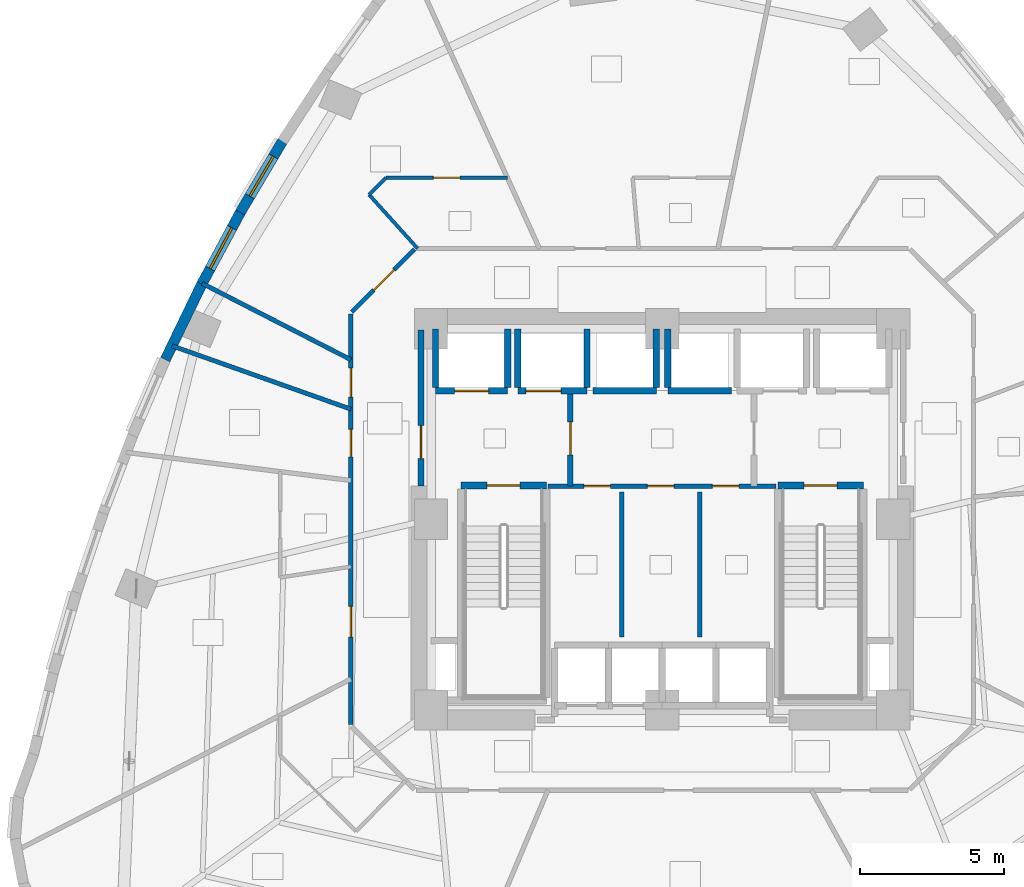
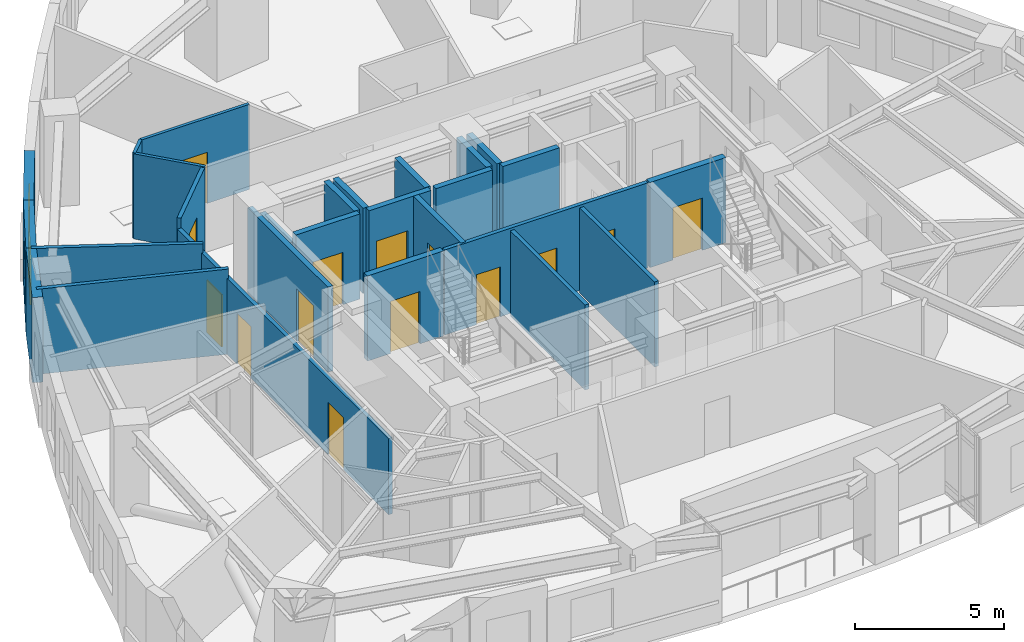
# One storey, part 6 of 11: 27 walls, 14 doors, 2 windows, 16 openings.
"""IFC4 building model written with IfcOpenShell, lengths in metres."""

from ifc_helpers import new_model, si_unit, direction, frame, frame_2d, origin, place, context, subcontext, project, spatial, rectangle, extrude, material, layer, layer_set, type_object, element, fill, save


model = new_model("IFC4")

# Units and contexts
model_context = context("Model", 3, precision=1e-05, world=origin(), true_north=direction((0.0, 1.0)))
body_context = subcontext(model_context, "Body", "Model", "MODEL_VIEW")
ifc_project = project(units=[si_unit("LENGTHUNIT", "METRE"), si_unit("AREAUNIT", "SQUARE_METRE"), si_unit("VOLUMEUNIT", "CUBIC_METRE"), si_unit("PLANEANGLEUNIT", "RADIAN"), si_unit("MASSUNIT", "GRAM", prefix="KILO")], contexts=[model_context])

# Site, building, storey
site_placement = place(None, origin())
site = spatial("IfcSite", under=ifc_project, at=site_placement, CompositionType="ELEMENT")
building_placement = place(site_placement, origin())
building = spatial("IfcBuilding", under=site, at=building_placement, Name="Ndelora Gate Hotel", CompositionType="ELEMENT")
storey_placement = place(building_placement, frame((0.0, 0.0, 41.75)))
storey = spatial("IfcBuildingStorey", under=building, at=storey_placement, Name="L09", CompositionType="ELEMENT", Elevation=41.75)

# Wall, opening, window
ifc_material_1 = material(Name="Clay Brick Masonry", Category="masonry")
ifc_layer_1 = layer(ifc_material_1, 0.360107421875)
ifc_layer_set_1 = layer_set([ifc_layer_1], Name="Clay Brick Masonry")
wall_type_1 = type_object("IfcWallType", Name="WL-BRICK-360", PredefinedType="SOLIDWALL", material=ifc_layer_set_1)
wall_1_placement = place(storey_placement, frame((-14.61279296875, 10.62646484375, 0.0), z_axis=(0.0, 0.0, 1.0), x_axis=(0.510091648533, 0.86012005563, 0.0)))
wall_1 = element("IfcWall", 1, at=wall_1_placement, inside=storey, type_object=wall_type_1, Name="L09 Tower Brick Pier-and-Spandrel Wall TWR-13", PredefinedType="SOLIDWALL", context=body_context, shape_type="SweptSolid", body=[
    extrude(rectangle(XDim=2.914794921875, YDim=0.360107421875, at=frame_2d((1.45751953125, 0.0))), origin(), (0.0, 0.0, 1.0), 3.5),
])
opening_1_placement = place(wall_1_placement, frame((0.657470703125, 0.0, 0.719970703125)))
opening_1 = element("IfcOpeningElement", 2, at=opening_1_placement, cuts=wall_1, Name="Opening W03", PredefinedType="OPENING", context=body_context, shape_type="SweptSolid", body=[
    extrude(rectangle(XDim=1.60009765625, YDim=1.8798828125, at=frame_2d((0.800048828125, 0.93994140625))), frame((0.0, 0.18994140625, 0.0), z_axis=(0.0, -1.0, 0.0), x_axis=(1.0, 0.0, 0.0)), (0.0, 0.0, 1.0), 0.380126953125),
])
ifc_material_2 = material(Name="Insulated Low-E Double Glazing in Bronze Aluminium Frame", Category="aluminium")
window_type_1 = type_object("IfcWindowType", Name="WN-CORN-2100", PartitioningType="SINGLE_PANEL", PredefinedType="WINDOW", material=ifc_material_2)
window_1_placement = place(opening_1_placement, origin())
window_1 = element("IfcWindow", 3, at=window_1_placement, inside=storey, type_object=window_type_1, Name="L09 Deep-Set Brick-Pier Window W03", OverallHeight=1.8798828125, OverallWidth=1.60009765625, PartitioningType="SINGLE_PANEL", PredefinedType="WINDOW", context=body_context, shape_type="SweptSolid", body=[
    extrude(rectangle(XDim=1.60009765625, YDim=1.8798828125, at=frame_2d((0.800048828125, 0.93994140625))), frame((0.0, 0.030029296875, 0.0), z_axis=(0.0, -1.0, 0.0), x_axis=(1.0, 0.0, 0.0)), (0.0, 0.0, 1.0), 0.06005859375),
])
fill(opening_1, window_1)

wall_2_placement = place(storey_placement, frame((-15.96435546875, 8.106201171875, 0.0), z_axis=(0.0, 0.0, 1.0), x_axis=(0.472903509286, 0.881114221259, 0.0)))
wall_2 = element("IfcWall", 4, at=wall_2_placement, inside=storey, type_object=wall_type_1, Name="L09 Tower Brick Pier-and-Spandrel Wall TWR-14", PredefinedType="SOLIDWALL", context=body_context, shape_type="SweptSolid", body=[
    extrude(rectangle(XDim=2.90966796875, YDim=0.360107421875, at=frame_2d((1.454833984375, 0.0))), origin(), (0.0, 0.0, 1.0), 3.5),
])
opening_2_placement = place(wall_2_placement, frame((0.65478515625, 0.0, 0.719970703125)))
opening_2 = element("IfcOpeningElement", 5, at=opening_2_placement, cuts=wall_2, Name="Opening W01", PredefinedType="OPENING", context=body_context, shape_type="SweptSolid", body=[
    extrude(rectangle(XDim=1.60009765625, YDim=1.8798828125, at=frame_2d((0.800048828125, 0.93994140625))), frame((0.0, 0.18994140625, 0.0), z_axis=(0.0, -1.0, 0.0), x_axis=(1.0, 0.0, 0.0)), (0.0, 0.0, 1.0), 0.380126953125),
])
window_type_2 = type_object("IfcWindowType", Name="WN-DEEP-1600", PartitioningType="SINGLE_PANEL", PredefinedType="WINDOW", material=ifc_material_2)
window_2_placement = place(opening_2_placement, origin())
window_2 = element("IfcWindow", 6, at=window_2_placement, inside=storey, type_object=window_type_2, Name="L09 Deep-Set Brick-Pier Window W01", OverallHeight=1.8798828125, OverallWidth=1.60009765625, PartitioningType="SINGLE_PANEL", PredefinedType="WINDOW", context=body_context, shape_type="SweptSolid", body=[
    extrude(rectangle(XDim=1.60009765625, YDim=1.8798828125, at=frame_2d((0.800048828125, 0.93994140625))), frame((0.0, 0.030029296875, 0.0), z_axis=(0.0, -1.0, 0.0), x_axis=(1.0, 0.0, 0.0)), (0.0, 0.0, 1.0), 0.06005859375),
])
fill(opening_2, window_2)

# Wall
wall_3_placement = place(storey_placement, frame((-17.206787109375, 5.530517578125, 0.0), z_axis=(0.0, 0.0, 1.0), x_axis=(0.434819461164, 0.900517649018, 0.0)))
element("IfcWall", 7, at=wall_3_placement, inside=storey, type_object=wall_type_1, Name="L09 Tower Brick Pier-and-Spandrel Wall TWR-15", PredefinedType="SOLIDWALL", context=body_context, shape_type="SweptSolid", body=[
    extrude(rectangle(XDim=2.90966796875, YDim=0.360107421875, at=frame_2d((1.454833984375, 0.0))), origin(), (0.0, 0.0, 1.0), 3.5),
])

# Wall, opening, door
ifc_material_3 = material(Name="Concrete C40/50", Category="concrete")
ifc_layer_2 = layer(ifc_material_3, 0.199951171875)
ifc_layer_set_2 = layer_set([ifc_layer_2], Name="Concrete C40/50")
wall_type_2 = type_object("IfcWallType", Name="WL-FIRE-200", PredefinedType="PARTITIONING", material=ifc_layer_set_2)
wall_4_placement = place(storey_placement, frame((-3.179931640625, 1.14990234375, 0.0), z_axis=(0.0, 0.0, 1.0), x_axis=(0.0, 1.0, 0.0)))
wall_4 = element("IfcWall", 8, at=wall_4_placement, inside=storey, type_object=wall_type_2, Name="L09 Interior Wall IW-2", PredefinedType="PARTITIONING", context=body_context, shape_type="SweptSolid", body=[
    extrude(rectangle(XDim=3.300048828125, YDim=0.199951171875, at=frame_2d((1.64990234375, 0.0))), origin(), (0.0, 0.0, 1.0), 3.5),
])
opening_3_placement = place(wall_4_placement, frame((1.080078125, 0.0, 0.0)))
opening_3 = element("IfcOpeningElement", 9, at=opening_3_placement, cuts=wall_4, Name="Opening FD1", PredefinedType="OPENING", context=body_context, shape_type="SweptSolid", body=[
    extrude(rectangle(XDim=1.14990234375, YDim=2.14990234375, at=frame_2d((0.574951171875, 1.074951171875))), frame((0.0, 0.10986328125, 0.0), z_axis=(0.0, -1.0, 0.0), x_axis=(1.0, 0.0, 0.0)), (0.0, 0.0, 1.0), 0.219970703125),
])
ifc_material_4 = material(Name="Fire-Rated Timber-Veneer Steel Core", Category="steel")
door_type_1 = type_object("IfcDoorType", Name="DR-FD60", OperationType="SINGLE_SWING_LEFT", PredefinedType="DOOR", material=ifc_material_4)
door_1_placement = place(opening_3_placement, origin())
door_1 = element("IfcDoor", 10, at=door_1_placement, inside=storey, type_object=door_type_1, Name="L09 Firefighting Lobby West Door", OperationType="SINGLE_SWING_RIGHT", OverallHeight=2.14990234375, OverallWidth=1.14990234375, PredefinedType="DOOR", context=body_context, shape_type="SweptSolid", body=[
    extrude(rectangle(XDim=1.14990234375, YDim=2.14990234375, at=frame_2d((0.574951171875, 1.074951171875))), frame((0.0, 0.02490234375, 0.0), z_axis=(0.0, -1.0, 0.0), x_axis=(1.0, 0.0, 0.0)), (0.0, 0.0, 1.0), 0.050048828125),
])
fill(opening_3, door_1)

wall_5_placement = place(storey_placement, frame((-8.35009765625, 1.14990234375, 0.0), z_axis=(0.0, 0.0, 1.0), x_axis=(0.0, 1.0, 0.0)))
wall_5 = element("IfcWall", 11, at=wall_5_placement, inside=storey, type_object=wall_type_2, Name="L09 Interior Wall IW-2", PredefinedType="PARTITIONING", context=body_context, shape_type="SweptSolid", body=[
    extrude(rectangle(XDim=5.400146484375, YDim=0.199951171875, at=frame_2d((2.7001953125, 0.0))), origin(), (0.0, 0.0, 1.0), 3.5),
])
opening_4_placement = place(wall_5_placement, frame((0.949951171875, 0.0, 0.0)))
opening_4 = element("IfcOpeningElement", 12, at=opening_4_placement, cuts=wall_5, Name="Opening FD1", PredefinedType="OPENING", context=body_context, shape_type="SweptSolid", body=[
    extrude(rectangle(XDim=1.14990234375, YDim=2.14990234375, at=frame_2d((0.574951171875, 1.074951171875))), frame((0.0, 0.10986328125, 0.0), z_axis=(0.0, -1.0, 0.0), x_axis=(1.0, 0.0, 0.0)), (0.0, 0.0, 1.0), 0.219970703125),
])
door_2_placement = place(opening_4_placement, origin())
door_2 = element("IfcDoor", 13, at=door_2_placement, inside=storey, type_object=door_type_1, Name="L09 Firefighting Lobby West Corridor Door", OperationType="SINGLE_SWING_LEFT", OverallHeight=2.14990234375, OverallWidth=1.14990234375, PredefinedType="DOOR", context=body_context, shape_type="SweptSolid", body=[
    extrude(rectangle(XDim=1.14990234375, YDim=2.14990234375, at=frame_2d((0.574951171875, 1.074951171875))), frame((0.0, 0.02490234375, 0.0), z_axis=(0.0, -1.0, 0.0), x_axis=(1.0, 0.0, 0.0)), (0.0, 0.0, 1.0), 0.050048828125),
])
fill(opening_4, door_2)

# Wall, openings, doors
ifc_material_5 = material(Name="Fire-Rated Gypsum Stud Partition", Category="gypsum")
ifc_layer_3 = layer(ifc_material_5, 0.14990234375)
ifc_layer_set_3 = layer_set([ifc_layer_3], Name="Fire-Rated Gypsum Stud Partition")
wall_type_3 = type_object("IfcWallType", Name="WL-PART-150", PredefinedType="PARTITIONING", material=ifc_layer_set_3)
wall_6_placement = place(storey_placement, frame((3.949951171875, 1.14990234375, 0.0), z_axis=(0.0, 0.0, 1.0), x_axis=(-1.0, 0.0, 0.0)))
wall_6 = element("IfcWall", 14, at=wall_6_placement, inside=storey, type_object=wall_type_3, Name="L09 Interior Wall IW-5", PredefinedType="PARTITIONING", context=body_context, shape_type="SweptSolid", body=[
    extrude(rectangle(XDim=7.89990234375, YDim=0.14990234375, at=frame_2d((3.949951171875, 0.0))), origin(), (0.0, 0.0, 1.0), 3.5),
])
opening_5_placement = place(wall_6_placement, frame((5.739990234375, 0.0, 0.0)))
opening_5 = element("IfcOpeningElement", 15, at=opening_5_placement, cuts=wall_6, Name="Opening D04", PredefinedType="OPENING", context=body_context, shape_type="SweptSolid", body=[
    extrude(rectangle(XDim=0.919921875, YDim=2.050048828125, at=frame_2d((0.4599609375, 1.02490234375))), frame((0.0, 0.0849609375, 0.0), z_axis=(0.0, -1.0, 0.0), x_axis=(1.0, 0.0, 0.0)), (0.0, 0.0, 1.0), 0.169921875),
])
opening_6_placement = place(wall_6_placement, frame((3.5400390625, 0.0, 0.0)))
opening_6 = element("IfcOpeningElement", 16, at=opening_6_placement, cuts=wall_6, Name="Opening D04", PredefinedType="OPENING", context=body_context, shape_type="SweptSolid", body=[
    extrude(rectangle(XDim=0.919921875, YDim=2.050048828125, at=frame_2d((0.4599609375, 1.02490234375))), frame((0.0, 0.0849609375, 0.0), z_axis=(0.0, -1.0, 0.0), x_axis=(1.0, 0.0, 0.0)), (0.0, 0.0, 1.0), 0.169921875),
])
opening_7_placement = place(wall_6_placement, frame((1.2900390625, 0.0, 0.0)))
opening_7 = element("IfcOpeningElement", 17, at=opening_7_placement, cuts=wall_6, Name="Opening D04", PredefinedType="OPENING", context=body_context, shape_type="SweptSolid", body=[
    extrude(rectangle(XDim=0.919921875, YDim=2.050048828125, at=frame_2d((0.4599609375, 1.02490234375))), frame((0.0, 0.0849609375, 0.0), z_axis=(0.0, -1.0, 0.0), x_axis=(1.0, 0.0, 0.0)), (0.0, 0.0, 1.0), 0.169921875),
])
ifc_material_6 = material(Name="Painted Steel Core Service Door", Category="steel")
door_type_2 = type_object("IfcDoorType", Name="DR-SER-920", OperationType="SINGLE_SWING_LEFT", PredefinedType="DOOR", material=ifc_material_6)
door_3_placement = place(opening_5_placement, origin())
door_3 = element("IfcDoor", 18, at=door_3_placement, inside=storey, type_object=door_type_2, Name="L09 Core Cleaners Store Door", OperationType="SINGLE_SWING_LEFT", OverallHeight=2.050048828125, OverallWidth=0.919921875, PredefinedType="DOOR", context=body_context, shape_type="SweptSolid", body=[
    extrude(rectangle(XDim=0.919921875, YDim=2.050048828125, at=frame_2d((0.4599609375, 1.02490234375))), frame((0.0, 0.02490234375, 0.0), z_axis=(0.0, -1.0, 0.0), x_axis=(1.0, 0.0, 0.0)), (0.0, 0.0, 1.0), 0.050048828125),
])
fill(opening_5, door_3)
door_4_placement = place(opening_6_placement, origin())
door_4 = element("IfcDoor", 19, at=door_4_placement, inside=storey, type_object=door_type_2, Name="L09 Core Telecoms Equipment Room Door", OperationType="SINGLE_SWING_RIGHT", OverallHeight=2.050048828125, OverallWidth=0.919921875, PredefinedType="DOOR", context=body_context, shape_type="SweptSolid", body=[
    extrude(rectangle(XDim=0.919921875, YDim=2.050048828125, at=frame_2d((0.4599609375, 1.02490234375))), frame((0.0, 0.02490234375, 0.0), z_axis=(0.0, -1.0, 0.0), x_axis=(1.0, 0.0, 0.0)), (0.0, 0.0, 1.0), 0.050048828125),
])
fill(opening_6, door_4)
door_5_placement = place(opening_7_placement, origin())
door_5 = element("IfcDoor", 20, at=door_5_placement, inside=storey, type_object=door_type_2, Name="L09 Core Electrical Metering Room Door", OperationType="SINGLE_SWING_LEFT", OverallHeight=2.050048828125, OverallWidth=0.919921875, PredefinedType="DOOR", context=body_context, shape_type="SweptSolid", body=[
    extrude(rectangle(XDim=0.919921875, YDim=2.050048828125, at=frame_2d((0.4599609375, 1.02490234375))), frame((0.0, 0.02490234375, 0.0), z_axis=(0.0, -1.0, 0.0), x_axis=(1.0, 0.0, 0.0)), (0.0, 0.0, 1.0), 0.050048828125),
])
fill(opening_7, door_5)

# Walls
for number, where, z_axis, x_axis, name in (
    (21, (-1.39990234375, -4.080078125, 0.0), (0.0, 0.0, 1.0), (0.0, 1.0, 0.0), "L09 Interior Wall IW-5"),
    (22, (1.300048828125, -4.080078125, 0.0), (0.0, 0.0, 1.0), (0.0, 1.0, 0.0), "L09 Interior Wall IW-5"),
):
    element("IfcWall", number, at=place(storey_placement, frame(where, z_axis=z_axis, x_axis=x_axis)), inside=storey, type_object=wall_type_3, Name=name, PredefinedType="PARTITIONING", context=body_context, shape_type="SweptSolid", body=[
        extrude(rectangle(XDim=5.030029296875, YDim=0.14990234375, at=frame_2d((2.51513671875, 0.0))), origin(), (0.0, 0.0, 1.0), 3.5),
    ])

# Wall, opening, door
wall_7_placement = place(storey_placement, frame((-10.751708984375, 7.17822265625, 0.0), z_axis=(0.0, 0.0, 1.0), x_axis=(0.707067066127, 0.707146494016, 0.0)))
wall_7 = element("IfcWall", 23, at=wall_7_placement, inside=storey, type_object=wall_type_3, Name="L09 Interior Wall IW-5", PredefinedType="PARTITIONING", context=body_context, shape_type="SweptSolid", body=[
    extrude(rectangle(XDim=3.07373046875, YDim=0.14990234375, at=frame_2d((1.536865234375, 0.0))), origin(), (0.0, 0.0, 1.0), 3.5),
])
opening_8_placement = place(wall_7_placement, frame((1.076904296875, 0.0, 0.0)))
opening_8 = element("IfcOpeningElement", 24, at=opening_8_placement, cuts=wall_7, Name="Opening D01", PredefinedType="OPENING", context=body_context, shape_type="SweptSolid", body=[
    extrude(rectangle(XDim=1.0, YDim=2.14990234375, at=frame_2d((0.5, 1.074951171875))), frame((0.0, 0.0849609375, 0.0), z_axis=(0.0, -1.0, 0.0), x_axis=(1.0, 0.0, 0.0)), (0.0, 0.0, 1.0), 0.169921875),
])
ifc_material_7 = material(Name="Acoustic Hardwood Guest Entrance Door", Category="wood")
door_type_3 = type_object("IfcDoorType", Name="DR-COR-1000", OperationType="SINGLE_SWING_LEFT", PredefinedType="DOOR", material=ifc_material_7)
door_6_placement = place(opening_8_placement, origin())
door_6 = element("IfcDoor", 25, at=door_6_placement, inside=storey, type_object=door_type_3, Name="L09 Superior Double Guest Room 1206 Entrance Door", OperationType="SINGLE_SWING_LEFT", OverallHeight=2.14990234375, OverallWidth=1.0, PredefinedType="DOOR", context=body_context, shape_type="SweptSolid", body=[
    extrude(rectangle(XDim=1.0, YDim=2.14990234375, at=frame_2d((0.5, 1.074951171875))), frame((0.0, 0.02490234375, 0.0), z_axis=(0.0, -1.0, 0.0), x_axis=(1.0, 0.0, 0.0)), (0.0, 0.0, 1.0), 0.050048828125),
])
fill(opening_8, door_6)

# Wall, openings, doors
wall_8_placement = place(storey_placement, frame((-10.780029296875, -7.110107421875, 0.0), z_axis=(0.0, 0.0, 1.0), x_axis=(0.0, 1.0, 0.0)))
wall_8 = element("IfcWall", 26, at=wall_8_placement, inside=storey, type_object=wall_type_3, Name="L09 Interior Wall IW-5", PredefinedType="PARTITIONING", context=body_context, shape_type="SweptSolid", body=[
    extrude(rectangle(XDim=14.22021484375, YDim=0.14990234375, at=frame_2d((7.110107421875, 0.0))), origin(), (0.0, 0.0, 1.0), 3.1201171875),
])
opening_9_placement = place(wall_8_placement, frame((11.343505859375, 0.0, 0.0)))
opening_9 = element("IfcOpeningElement", 27, at=opening_9_placement, cuts=wall_8, Name="Opening D01", PredefinedType="OPENING", context=body_context, shape_type="SweptSolid", body=[
    extrude(rectangle(XDim=1.0, YDim=2.14990234375, at=frame_2d((0.5, 1.074951171875))), frame((0.0, 0.0849609375, 0.0), z_axis=(0.0, -1.0, 0.0), x_axis=(1.0, 0.0, 0.0)), (0.0, 0.0, 1.0), 0.169921875),
])
opening_10_placement = place(wall_8_placement, frame((9.2724609375, 0.0, 0.0)))
opening_10 = element("IfcOpeningElement", 28, at=opening_10_placement, cuts=wall_8, Name="Opening D05", PredefinedType="OPENING", context=body_context, shape_type="SweptSolid", body=[
    extrude(rectangle(XDim=0.949951171875, YDim=2.10009765625, at=frame_2d((0.47509765625, 1.050048828125))), frame((0.0, 0.0849609375, 0.0), z_axis=(0.0, -1.0, 0.0), x_axis=(1.0, 0.0, 0.0)), (0.0, 0.0, 1.0), 0.169921875),
])
opening_11_placement = place(wall_8_placement, frame((3.035400390625, 0.0, 0.0)))
opening_11 = element("IfcOpeningElement", 29, at=opening_11_placement, cuts=wall_8, Name="Opening D07", PredefinedType="OPENING", context=body_context, shape_type="SweptSolid", body=[
    extrude(rectangle(XDim=1.06005859375, YDim=2.14990234375, at=frame_2d((0.530029296875, 1.074951171875))), frame((0.0, 0.0849609375, 0.0), z_axis=(0.0, -1.0, 0.0), x_axis=(1.0, 0.0, 0.0)), (0.0, 0.0, 1.0), 0.169921875),
])
ifc_material_8 = material(Name="Accessible Restroom Wide-Clearance Door", Category="wood")
door_type_4 = type_object("IfcDoorType", Name="DR-ACC-950", OperationType="SINGLE_SWING_LEFT", PredefinedType="DOOR", material=ifc_material_8)
door_7_placement = place(opening_10_placement, origin())
door_7 = element("IfcDoor", 30, at=door_7_placement, inside=storey, type_object=door_type_4, Name="L09 Accessible WC Entrance Door", OperationType="SINGLE_SWING_LEFT", OverallHeight=2.10009765625, OverallWidth=0.949951171875, PredefinedType="DOOR", context=body_context, shape_type="SweptSolid", body=[
    extrude(rectangle(XDim=0.949951171875, YDim=2.10009765625, at=frame_2d((0.47509765625, 1.050048828125))), frame((0.0, 0.02490234375, 0.0), z_axis=(0.0, -1.0, 0.0), x_axis=(1.0, 0.0, 0.0)), (0.0, 0.0, 1.0), 0.050048828125),
])
fill(opening_10, door_7)
door_8_placement = place(opening_9_placement, origin())
door_8 = element("IfcDoor", 31, at=door_8_placement, inside=storey, type_object=door_type_3, Name="L09 Housekeeping and Linen Room Entrance Door", OperationType="SINGLE_SWING_RIGHT", OverallHeight=2.14990234375, OverallWidth=1.0, PredefinedType="DOOR", context=body_context, shape_type="SweptSolid", body=[
    extrude(rectangle(XDim=1.0, YDim=2.14990234375, at=frame_2d((0.5, 1.074951171875))), frame((0.0, 0.02490234375, 0.0), z_axis=(0.0, -1.0, 0.0), x_axis=(1.0, 0.0, 0.0)), (0.0, 0.0, 1.0), 0.050048828125),
])
fill(opening_9, door_8)
ifc_material_9 = material(Name="Diplomatic Suite Acoustic Entrance Door", Category="wood")
door_type_5 = type_object("IfcDoorType", Name="DR-SUITE-1060", OperationType="SINGLE_SWING_LEFT", PredefinedType="DOOR", material=ifc_material_9)
door_9_placement = place(opening_11_placement, origin())
door_9 = element("IfcDoor", 32, at=door_9_placement, inside=storey, type_object=door_type_5, Name="L09 Executive King Junior Suite 1201 Entrance Door", OperationType="SINGLE_SWING_RIGHT", OverallHeight=2.14990234375, OverallWidth=1.06005859375, PredefinedType="DOOR", context=body_context, shape_type="SweptSolid", body=[
    extrude(rectangle(XDim=1.06005859375, YDim=2.14990234375, at=frame_2d((0.530029296875, 1.074951171875))), frame((0.0, 0.02490234375, 0.0), z_axis=(0.0, -1.0, 0.0), x_axis=(1.0, 0.0, 0.0)), (0.0, 0.0, 1.0), 0.050048828125),
])
fill(opening_11, door_9)

# Walls
wall_9_placement = place(storey_placement, frame((-10.780029296875, 5.529541015625, 0.0), z_axis=(0.0, 0.0, 1.0), x_axis=(-0.889781886096, 0.456386015535, 0.0)))
element("IfcWall", 33, at=wall_9_placement, inside=storey, type_object=wall_type_3, Name="L09 Interior Wall IW-5", PredefinedType="PARTITIONING", context=body_context, shape_type="SweptSolid", body=[
    extrude(rectangle(XDim=5.78759765625, YDim=0.14990234375, at=frame_2d((2.893798828125, 0.0))), origin(), (0.0, 0.0, 1.0), 3.5),
])
wall_10_placement = place(storey_placement, frame((-10.780029296875, 3.8173828125, 0.0), z_axis=(0.0, 0.0, 1.0), x_axis=(-0.942646221325, 0.333793501167, 0.0)))
element("IfcWall", 34, at=wall_10_placement, inside=storey, type_object=wall_type_3, Name="L09 Interior Wall IW-5", PredefinedType="PARTITIONING", context=body_context, shape_type="SweptSolid", body=[
    extrude(rectangle(XDim=6.57177734375, YDim=0.14990234375, at=frame_2d((3.285888671875, 0.0))), origin(), (0.0, 0.0, 1.0), 3.5),
])

# Wall, opening, door
ifc_layer_4 = layer(ifc_material_3, 0.219970703125)
ifc_layer_set_4 = layer_set([ifc_layer_4], Name="Concrete C40/50")
wall_type_4 = type_object("IfcWallType", Name="WL-SHAFT-220", PredefinedType="PARTITIONING", material=ifc_layer_set_4)
wall_11_placement = place(storey_placement, frame((-7.85009765625, 4.449951171875, 0.0), z_axis=(0.0, 0.0, 1.0), x_axis=(1.0, 0.0, 0.0)))
wall_11 = element("IfcWall", 35, at=wall_11_placement, inside=storey, type_object=wall_type_4, Name="L09 Interior Wall IW-1", PredefinedType="PARTITIONING", context=body_context, shape_type="SweptSolid", body=[
    extrude(rectangle(XDim=2.5, YDim=0.219970703125, at=frame_2d((1.25, 0.0))), origin(), (0.0, 0.0, 1.0), 3.5),
])
opening_12_placement = place(wall_11_placement, frame((0.659912109375, 0.0, 0.0)))
opening_12 = element("IfcOpeningElement", 36, at=opening_12_placement, cuts=wall_11, Name="Opening LD5", PredefinedType="OPENING", context=body_context, shape_type="SweptSolid", body=[
    extrude(rectangle(XDim=1.179931640625, YDim=2.14990234375, at=frame_2d((0.58984375, 1.074951171875))), frame((0.0, 0.1201171875, 0.0), z_axis=(0.0, -1.0, 0.0), x_axis=(1.0, 0.0, 0.0)), (0.0, 0.0, 1.0), 0.239990234375),
])
ifc_material_10 = material(Name="Firefighting Lift Stainless Sliding Landing Door", Category="metal")
door_type_6 = type_object("IfcDoorType", Name="DR-LD5", OperationType="DOUBLE_DOOR_SLIDING", PredefinedType="DOOR", material=ifc_material_10)
door_10_placement = place(opening_12_placement, origin())
door_10 = element("IfcDoor", 37, at=door_10_placement, inside=storey, type_object=door_type_6, Name="L09 Lift Landing Sliding Door FFL1", OperationType="DOUBLE_DOOR_SLIDING", OverallHeight=2.14990234375, OverallWidth=1.179931640625, PredefinedType="DOOR", context=body_context, shape_type="SweptSolid", body=[
    extrude(rectangle(XDim=1.179931640625, YDim=2.14990234375, at=frame_2d((0.58984375, 1.074951171875))), frame((0.0, 0.02490234375, 0.0), z_axis=(0.0, -1.0, 0.0), x_axis=(1.0, 0.0, 0.0)), (0.0, 0.0, 1.0), 0.050048828125),
])
fill(opening_12, door_10)

# Walls
wall_12_placement = place(storey_placement, frame((-7.85009765625, 4.570068359375, 0.0), z_axis=(0.0, 0.0, 1.0), x_axis=(0.0, 1.0, 0.0)))
element("IfcWall", 38, at=wall_12_placement, inside=storey, type_object=wall_type_4, Name="L09 Interior Wall IW-1", PredefinedType="PARTITIONING", context=body_context, shape_type="SweptSolid", body=[
    extrude(rectangle(XDim=2.030029296875, YDim=0.219970703125, at=frame_2d((1.01513671875, 0.0))), origin(), (0.0, 0.0, 1.0), 3.080078125),
])
wall_13_placement = place(storey_placement, frame((-5.35009765625, 4.570068359375, 0.0), z_axis=(0.0, 0.0, 1.0), x_axis=(0.0, 1.0, 0.0)))
element("IfcWall", 39, at=wall_13_placement, inside=storey, type_object=wall_type_4, Name="L09 Interior Wall IW-1", PredefinedType="PARTITIONING", context=body_context, shape_type="SweptSolid", body=[
    extrude(rectangle(XDim=2.030029296875, YDim=0.219970703125, at=frame_2d((1.01513671875, 0.0))), origin(), (0.0, 0.0, 1.0), 3.5),
])

# Wall, opening, door
wall_14_placement = place(storey_placement, frame((-5.0, 4.449951171875, 0.0), z_axis=(0.0, 0.0, 1.0), x_axis=(1.0, 0.0, 0.0)))
wall_14 = element("IfcWall", 40, at=wall_14_placement, inside=storey, type_object=wall_type_4, Name="L09 Interior Wall IW-1", PredefinedType="PARTITIONING", context=body_context, shape_type="SweptSolid", body=[
    extrude(rectangle(XDim=2.39990234375, YDim=0.219970703125, at=frame_2d((1.199951171875, 0.0))), origin(), (0.0, 0.0, 1.0), 3.5),
])
opening_13_placement = place(wall_14_placement, frame((0.280029296875, 0.0, 0.0)))
opening_13 = element("IfcOpeningElement", 41, at=opening_13_placement, cuts=wall_14, Name="Opening LD6", PredefinedType="OPENING", context=body_context, shape_type="SweptSolid", body=[
    extrude(rectangle(XDim=1.219970703125, YDim=2.14990234375, at=frame_2d((0.60986328125, 1.074951171875))), frame((0.0, 0.1201171875, 0.0), z_axis=(0.0, -1.0, 0.0), x_axis=(1.0, 0.0, 0.0)), (0.0, 0.0, 1.0), 0.239990234375),
])
ifc_material_11 = material(Name="Heavy-Duty Service Lift Sliding Landing Door", Category="wood")
door_type_7 = type_object("IfcDoorType", Name="DR-LD6", OperationType="DOUBLE_DOOR_SLIDING", PredefinedType="DOOR", material=ifc_material_11)
door_11_placement = place(opening_13_placement, origin())
door_11 = element("IfcDoor", 42, at=door_11_placement, inside=storey, type_object=door_type_7, Name="L09 Lift Landing Sliding Door SVL1", OperationType="DOUBLE_DOOR_SLIDING", OverallHeight=2.14990234375, OverallWidth=1.219970703125, PredefinedType="DOOR", context=body_context, shape_type="SweptSolid", body=[
    extrude(rectangle(XDim=1.219970703125, YDim=2.14990234375, at=frame_2d((0.60986328125, 1.074951171875))), frame((0.0, 0.02490234375, 0.0), z_axis=(0.0, -1.0, 0.0), x_axis=(1.0, 0.0, 0.0)), (0.0, 0.0, 1.0), 0.050048828125),
])
fill(opening_13, door_11)

# Walls
for number, where, z_axis, x_axis, name in (
    (43, (-5.0, 4.570068359375, 0.0), (0.0, 0.0, 1.0), (0.0, 1.0, 0.0), "L09 Interior Wall IW-1"),
    (44, (-2.60009765625, 4.570068359375, 0.0), (0.0, 0.0, 1.0), (0.0, 1.0, 0.0), "L09 Interior Wall IW-1"),
):
    element("IfcWall", number, at=place(storey_placement, frame(where, z_axis=z_axis, x_axis=x_axis)), inside=storey, type_object=wall_type_4, Name=name, PredefinedType="PARTITIONING", context=body_context, shape_type="SweptSolid", body=[
        extrude(rectangle(XDim=2.030029296875, YDim=0.219970703125, at=frame_2d((1.01513671875, 0.0))), origin(), (0.0, 0.0, 1.0), 3.5),
    ])
wall_15_placement = place(storey_placement, frame((-2.39990234375, 4.449951171875, 0.0), z_axis=(0.0, 0.0, 1.0), x_axis=(1.0, 0.0, 0.0)))
element("IfcWall", 45, at=wall_15_placement, inside=storey, type_object=wall_type_4, Name="L09 Interior Wall IW-1", PredefinedType="PARTITIONING", context=body_context, shape_type="SweptSolid", body=[
    extrude(rectangle(XDim=2.199951171875, YDim=0.219970703125, at=frame_2d((1.10009765625, 0.0))), origin(), (0.0, 0.0, 1.0), 3.5),
])
wall_16_placement = place(storey_placement, frame((-0.199951171875, 4.570068359375, 0.0), z_axis=(0.0, 0.0, 1.0), x_axis=(0.0, 1.0, 0.0)))
element("IfcWall", 46, at=wall_16_placement, inside=storey, type_object=wall_type_4, Name="L09 Interior Wall IW-1", PredefinedType="PARTITIONING", context=body_context, shape_type="SweptSolid", body=[
    extrude(rectangle(XDim=2.030029296875, YDim=0.219970703125, at=frame_2d((1.01513671875, 0.0))), origin(), (0.0, 0.0, 1.0), 3.5),
])
wall_17_placement = place(storey_placement, frame((0.199951171875, 4.449951171875, 0.0), z_axis=(0.0, 0.0, 1.0), x_axis=(1.0, 0.0, 0.0)))
element("IfcWall", 47, at=wall_17_placement, inside=storey, type_object=wall_type_4, Name="L09 Interior Wall IW-1", PredefinedType="PARTITIONING", context=body_context, shape_type="SweptSolid", body=[
    extrude(rectangle(XDim=2.199951171875, YDim=0.219970703125, at=frame_2d((1.10009765625, 0.0))), origin(), (0.0, 0.0, 1.0), 3.5),
])
wall_18_placement = place(storey_placement, frame((0.199951171875, 4.570068359375, 0.0), z_axis=(0.0, 0.0, 1.0), x_axis=(0.0, 1.0, 0.0)))
element("IfcWall", 48, at=wall_18_placement, inside=storey, type_object=wall_type_4, Name="L09 Interior Wall IW-1", PredefinedType="PARTITIONING", context=body_context, shape_type="SweptSolid", body=[
    extrude(rectangle(XDim=2.030029296875, YDim=0.219970703125, at=frame_2d((1.01513671875, 0.0))), origin(), (0.0, 0.0, 1.0), 3.5),
])

# Wall, opening, door
ifc_material_12 = material(Name="Concrete C50/60", Category="concrete")
ifc_layer_5 = layer(ifc_material_12, 0.239990234375)
ifc_layer_set_5 = layer_set([ifc_layer_5], Name="Concrete C50/60")
wall_type_5 = type_object("IfcWallType", Name="WL-STAIR-240", PredefinedType="SHEAR", material=ifc_layer_set_5)
wall_19_placement = place(storey_placement, frame((-6.969970703125, 1.169921875, 0.0), z_axis=(0.0, 0.0, 1.0), x_axis=(1.0, 0.0, 0.0)))
wall_19 = element("IfcWall", 49, at=wall_19_placement, inside=storey, type_object=wall_type_5, Name="L09 Stair Core Shear Wall SW-ST", PredefinedType="SHEAR", context=body_context, shape_type="SweptSolid", body=[
    extrude(rectangle(XDim=2.9599609375, YDim=0.239990234375, at=frame_2d((1.47998046875, 0.0))), origin(), (0.0, 0.0, 1.0), 3.5),
])
opening_14_placement = place(wall_19_placement, frame((0.89990234375, 0.0, 0.0)))
opening_14 = element("IfcOpeningElement", 50, at=opening_14_placement, cuts=wall_19, Name="Opening FD1", PredefinedType="OPENING", context=body_context, shape_type="SweptSolid", body=[
    extrude(rectangle(XDim=1.14990234375, YDim=2.14990234375, at=frame_2d((0.574951171875, 1.074951171875))), frame((0.0, 0.1298828125, 0.0), z_axis=(0.0, -1.0, 0.0), x_axis=(1.0, 0.0, 0.0)), (0.0, 0.0, 1.0), 0.260009765625),
])
door_12_placement = place(opening_14_placement, origin())
door_12 = element("IfcDoor", 51, at=door_12_placement, inside=storey, type_object=door_type_1, Name="L09 Exit Stair ST4 Door", OperationType="SINGLE_SWING_LEFT", OverallHeight=2.14990234375, OverallWidth=1.14990234375, PredefinedType="DOOR", context=body_context, shape_type="SweptSolid", body=[
    extrude(rectangle(XDim=1.14990234375, YDim=2.14990234375, at=frame_2d((0.574951171875, 1.074951171875))), frame((0.0, 0.02490234375, 0.0), z_axis=(0.0, -1.0, 0.0), x_axis=(1.0, 0.0, 0.0)), (0.0, 0.0, 1.0), 0.050048828125),
])
fill(opening_14, door_12)

wall_20_placement = place(storey_placement, frame((4.010009765625, 1.169921875, 0.0), z_axis=(0.0, 0.0, 1.0), x_axis=(1.0, 0.0, 0.0)))
wall_20 = element("IfcWall", 52, at=wall_20_placement, inside=storey, type_object=wall_type_5, Name="L09 Stair Core Shear Wall SW-ST", PredefinedType="SHEAR", context=body_context, shape_type="SweptSolid", body=[
    extrude(rectangle(XDim=2.9599609375, YDim=0.239990234375, at=frame_2d((1.47998046875, 0.0))), origin(), (0.0, 0.0, 1.0), 3.5),
])
opening_15_placement = place(wall_20_placement, frame((0.89990234375, 0.0, 0.0)))
opening_15 = element("IfcOpeningElement", 53, at=opening_15_placement, cuts=wall_20, Name="Opening FD1", PredefinedType="OPENING", context=body_context, shape_type="SweptSolid", body=[
    extrude(rectangle(XDim=1.14990234375, YDim=2.14990234375, at=frame_2d((0.574951171875, 1.074951171875))), frame((0.0, 0.1298828125, 0.0), z_axis=(0.0, -1.0, 0.0), x_axis=(1.0, 0.0, 0.0)), (0.0, 0.0, 1.0), 0.260009765625),
])
door_13_placement = place(opening_15_placement, origin())
door_13 = element("IfcDoor", 54, at=door_13_placement, inside=storey, type_object=door_type_1, Name="L09 Exit Stair ST5 Door", OperationType="SINGLE_SWING_RIGHT", OverallHeight=2.14990234375, OverallWidth=1.14990234375, PredefinedType="DOOR", context=body_context, shape_type="SweptSolid", body=[
    extrude(rectangle(XDim=1.14990234375, YDim=2.14990234375, at=frame_2d((0.574951171875, 1.074951171875))), frame((0.0, 0.02490234375, 0.0), z_axis=(0.0, -1.0, 0.0), x_axis=(1.0, 0.0, 0.0)), (0.0, 0.0, 1.0), 0.050048828125),
])
fill(opening_15, door_13)

# Walls
ifc_material_13 = material(Name="Moisture-Resistant Bathroom Tile Partition", Category="gypsum")
ifc_layer_6 = layer(ifc_material_13, 0.1201171875)
ifc_layer_set_6 = layer_set([ifc_layer_6], Name="Moisture-Resistant Bathroom Tile Partition")
wall_type_6 = type_object("IfcWallType", Name="WL-WET-120", PredefinedType="PARTITIONING", material=ifc_layer_set_6)
wall_21_placement = place(storey_placement, frame((-10.150146484375, 11.24462890625, 0.0), z_axis=(0.0, 0.0, 1.0), x_axis=(0.670080782296, -0.742288182041, 0.0)))
element("IfcWall", 55, at=wall_21_placement, inside=storey, type_object=wall_type_6, Name="L09 Interior Wall IW-7", PredefinedType="PARTITIONING", context=body_context, shape_type="SweptSolid", body=[
    extrude(rectangle(XDim=2.51220703125, YDim=0.1201171875, at=frame_2d((1.256103515625, 0.0))), origin(), (0.0, 0.0, 1.0), 3.5),
])
wall_22_placement = place(storey_placement, frame((-10.150146484375, 11.24462890625, 0.0), z_axis=(0.0, 0.0, 1.0), x_axis=(0.707106781187, 0.707106781187, 0.0)))
element("IfcWall", 56, at=wall_22_placement, inside=storey, type_object=wall_type_6, Name="L09 Interior Wall IW-7", PredefinedType="PARTITIONING", context=body_context, shape_type="SweptSolid", body=[
    extrude(rectangle(XDim=0.827880859375, YDim=0.1201171875, at=frame_2d((0.4140625, 0.0))), origin(), (0.0, 0.0, 1.0), 3.5),
])

# Wall, opening, door
wall_23_placement = place(storey_placement, frame((-9.564697265625, 11.830078125, 0.0), z_axis=(0.0, 0.0, 1.0), x_axis=(1.0, 0.0, 0.0)))
wall_23 = element("IfcWall", 57, at=wall_23_placement, inside=storey, type_object=wall_type_6, Name="L09 Interior Wall IW-7", PredefinedType="PARTITIONING", context=body_context, shape_type="SweptSolid", body=[
    extrude(rectangle(XDim=4.20458984375, YDim=0.1201171875, at=frame_2d((2.102294921875, 0.0))), origin(), (0.0, 0.0, 1.0), 3.5),
])
opening_16_placement = place(wall_23_placement, frame((1.642333984375, 0.0, 0.0)))
opening_16 = element("IfcOpeningElement", 58, at=opening_16_placement, cuts=wall_23, Name="Opening D03", PredefinedType="OPENING", context=body_context, shape_type="SweptSolid", body=[
    extrude(rectangle(XDim=0.919921875, YDim=2.10009765625, at=frame_2d((0.4599609375, 1.050048828125))), frame((0.0, 0.070068359375, 0.0), z_axis=(0.0, -1.0, 0.0), x_axis=(1.0, 0.0, 0.0)), (0.0, 0.0, 1.0), 0.14013671875),
])
ifc_material_14 = material(Name="Moisture-Resistant Hardwood En-Suite Door", Category="wood")
door_type_8 = type_object("IfcDoorType", Name="DR-BATH-920", OperationType="SINGLE_SWING_LEFT", PredefinedType="DOOR", material=ifc_material_14)
door_14_placement = place(opening_16_placement, origin())
door_14 = element("IfcDoor", 59, at=door_14_placement, inside=storey, type_object=door_type_8, Name="L09 En-suite Bathroom 1206 Door", OperationType="SINGLE_SWING_LEFT", OverallHeight=2.10009765625, OverallWidth=0.919921875, PredefinedType="DOOR", context=body_context, shape_type="SweptSolid", body=[
    extrude(rectangle(XDim=0.919921875, YDim=2.10009765625, at=frame_2d((0.4599609375, 1.050048828125))), frame((0.0, 0.02490234375, 0.0), z_axis=(0.0, -1.0, 0.0), x_axis=(1.0, 0.0, 0.0)), (0.0, 0.0, 1.0), 0.050048828125),
])
fill(opening_16, door_14)

save(model, "model.ifc")
